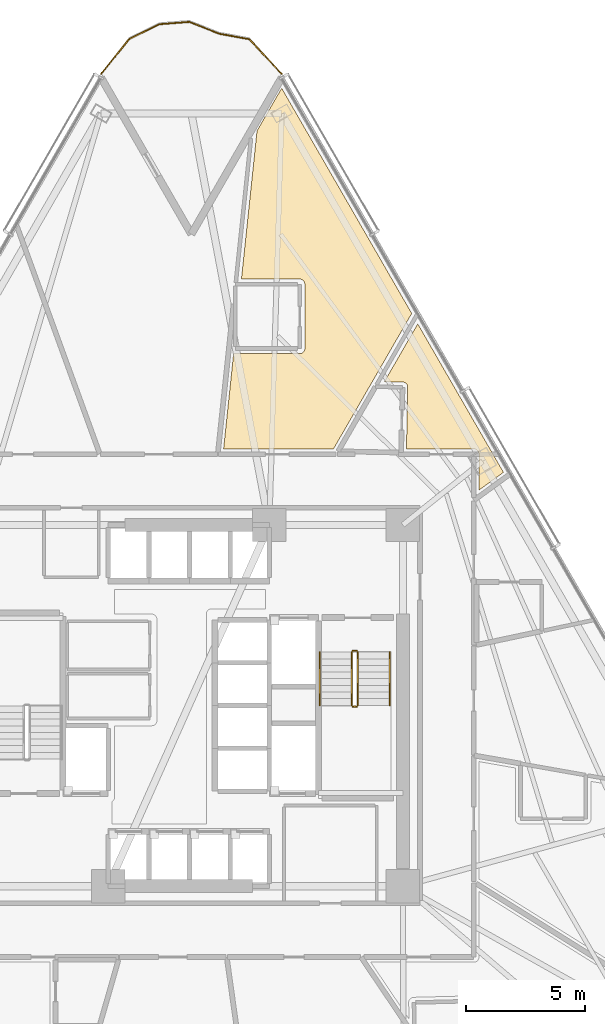
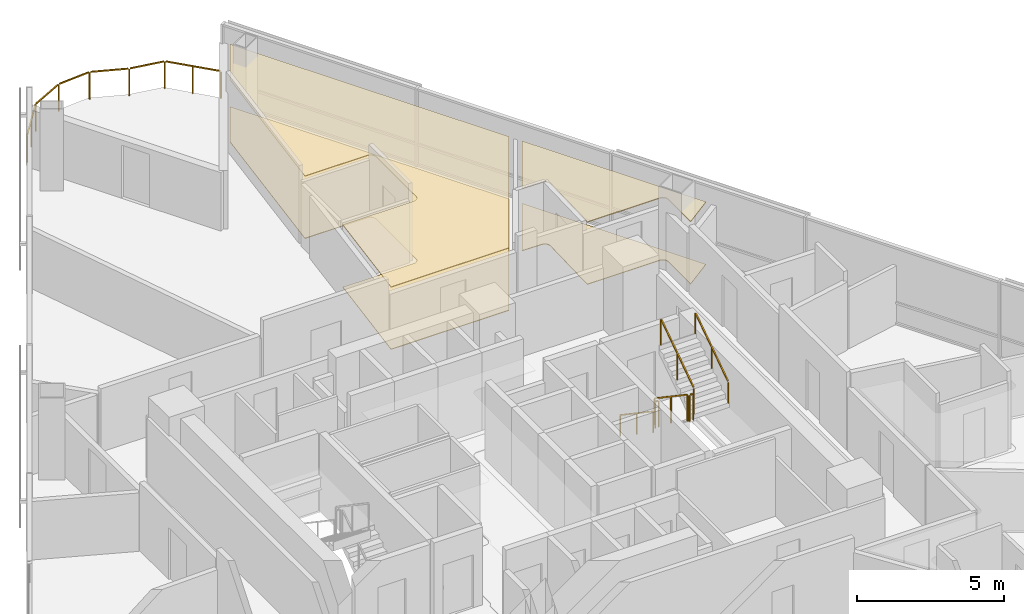
# One storey, part 17 of 17: 7 railings, 4 coverings.
"""IFC4 building model written with IfcOpenShell, lengths in metres."""

from ifc_helpers import new_model, si_unit, direction, frame, origin, origin_2d, place, context, subcontext, project, spatial, polyline, rectangle, outline, extrude, material, layer, layer_set, type_object, element, save


model = new_model("IFC4")

# Units and contexts
model_context = context("Model", 3, precision=1e-05, world=origin(), true_north=direction((0.0, 1.0)))
body_context = subcontext(model_context, "Body", "Model", "MODEL_VIEW")
ifc_project = project(units=[si_unit("LENGTHUNIT", "METRE"), si_unit("AREAUNIT", "SQUARE_METRE"), si_unit("VOLUMEUNIT", "CUBIC_METRE"), si_unit("PLANEANGLEUNIT", "RADIAN"), si_unit("MASSUNIT", "GRAM", prefix="KILO")], contexts=[model_context])

# Site, building, storey
site_placement = place(None, origin())
site = spatial("IfcSite", under=ifc_project, at=site_placement, CompositionType="ELEMENT")
building_placement = place(site_placement, origin())
building = spatial("IfcBuilding", under=site, at=building_placement, Name="Tharavind Bronze Gate", CompositionType="ELEMENT")
storey_placement = place(building_placement, frame((0.0, 0.0, 35.25)))
storey = spatial("IfcBuildingStorey", under=building, at=storey_placement, Name="L07", CompositionType="ELEMENT", Elevation=35.25)

# Coverings
ifc_material_1 = material(Name="Engineered Oak & Carpet Tile", Category="wood")
ifc_layer_1 = layer(ifc_material_1, 0.02490234375)
ifc_layer_set_1 = layer_set([ifc_layer_1], Name="Engineered Oak & Carpet Tile")
covering_type_1 = type_object("IfcCoveringType", Name="ENGINEERED TIMBER FLOORING", PredefinedType="FLOORING", material=ifc_layer_set_1)
covering_1_placement = place(storey_placement, origin())
element("IfcCovering", 1, at=covering_1_placement, inside=storey, type_object=covering_type_1, Name="L07-RM-02 floor finish", PredefinedType="FLOORING", context=body_context, shape_type="SweptSolid", body=[
    extrude(outline(polyline([(11.87939453125, 10.800048828125), (11.89013671875, 10.7998046875), (11.890869140625, 10.7998046875), (11.912353515625, 10.797607421875), (11.933349609375, 10.79345703125), (11.9541015625, 10.787109375), (11.97412109375, 10.77880859375), (11.9931640625, 10.768798828125), (12.010986328125, 10.756591796875), (12.027587890625, 10.742919921875), (12.04296875, 10.727783203125), (12.056640625, 10.7109375), (12.068603515625, 10.693115234375), (12.078857421875, 10.674072265625), (12.087158203125, 10.654052734375), (12.093505859375, 10.63330078125), (12.09765625, 10.6123046875), (12.099609375, 10.5908203125), (12.099609375, 10.590087890625), (12.10009765625, 10.579345703125), (12.10009765625, 9.06298828125), (13.1328125, 9.8134765625), (9.5263671875, 16.06005859375), (8.123046875, 13.629638671875), (8.8896484375, 13.613525390625), (8.9111328125, 13.612060546875), (8.932373046875, 13.6083984375), (8.953125, 13.602783203125), (8.973388671875, 13.59521484375), (8.99267578125, 13.58544921875), (9.010986328125, 13.573974609375), (9.028076171875, 13.560791015625), (9.043701171875, 13.5458984375), (9.057861328125, 13.529541015625), (9.0703125, 13.511962890625), (9.0810546875, 13.4931640625), (9.08984375, 13.473388671875), (9.0966796875, 13.452880859375), (9.1015625, 13.431884765625), (9.104248046875, 13.41064453125), (9.10498046875, 13.388916015625), (9.05029296875, 10.800048828125), (11.87939453125, 10.800048828125)])), origin(), (0.0, 0.0, 1.0), 0.02490234375),
])
covering_2_placement = place(storey_placement, origin())
element("IfcCovering", 2, at=covering_2_placement, inside=storey, type_object=covering_type_1, Name="L07-RM-03 floor finish", PredefinedType="FLOORING", context=body_context, shape_type="SweptSolid", body=[
    extrude(outline(polyline([(5.981201171875, 10.800048828125), (9.272216796875, 16.5), (3.800048828125, 25.978271484375), (2.7626953125, 24.181640625), (2.107421875, 17.945556640625), (4.5546875, 17.945556640625), (4.576416015625, 17.9443359375), (4.59765625, 17.94140625), (4.61865234375, 17.93603515625), (4.638916015625, 17.9287109375), (4.658447265625, 17.91943359375), (4.677001953125, 17.908447265625), (4.6943359375, 17.8955078125), (4.71044921875, 17.881103515625), (4.724853515625, 17.864990234375), (4.73779296875, 17.84765625), (4.748779296875, 17.8291015625), (4.758056640625, 17.809814453125), (4.765380859375, 17.789306640625), (4.7705078125, 17.768310546875), (4.773681640625, 17.7470703125), (4.77490234375, 17.7255859375), (4.77490234375, 15.025390625), (4.773681640625, 15.00390625), (4.7705078125, 14.982666015625), (4.765380859375, 14.961669921875), (4.758056640625, 14.94140625), (4.748779296875, 14.921875), (4.73779296875, 14.9033203125), (4.724853515625, 14.885986328125), (4.71044921875, 14.869873046875), (4.6943359375, 14.85546875), (4.677001953125, 14.842529296875), (4.658447265625, 14.83154296875), (4.638916015625, 14.822265625), (4.61865234375, 14.81494140625), (4.59765625, 14.809814453125), (4.576416015625, 14.806396484375), (4.5546875, 14.805419921875), (1.854736328125, 14.805419921875), (1.833251953125, 14.806396484375), (1.81201171875, 14.809814453125), (1.791015625, 14.81494140625), (1.77880859375, 14.8193359375), (1.356201171875, 10.800048828125), (5.981201171875, 10.800048828125)])), origin(), (0.0, 0.0, 1.0), 0.02490234375),
])
ifc_material_2 = material(Name="Acoustic Gypsum Board", Category="gypsum")
ifc_layer_2 = layer(ifc_material_2, 0.030029296875)
ifc_layer_set_2 = layer_set([ifc_layer_2], Name="Acoustic Gypsum Board")
covering_type_2 = type_object("IfcCoveringType", Name="GYPSUM SUSPENDED CEILING", PredefinedType="CEILING", material=ifc_layer_set_2)
covering_3_placement = place(storey_placement, frame((0.0, 0.0, 2.574951171875)))
element("IfcCovering", 3, at=covering_3_placement, inside=storey, type_object=covering_type_2, Name="L07-RM-02 suspended ceiling", PredefinedType="CEILING", context=body_context, shape_type="SweptSolid", body=[
    extrude(outline(polyline([(11.87939453125, 10.800048828125), (11.89013671875, 10.7998046875), (11.890869140625, 10.7998046875), (11.912353515625, 10.797607421875), (11.933349609375, 10.79345703125), (11.9541015625, 10.787109375), (11.97412109375, 10.77880859375), (11.9931640625, 10.768798828125), (12.010986328125, 10.756591796875), (12.027587890625, 10.742919921875), (12.04296875, 10.727783203125), (12.056640625, 10.7109375), (12.068603515625, 10.693115234375), (12.078857421875, 10.674072265625), (12.087158203125, 10.654052734375), (12.093505859375, 10.63330078125), (12.09765625, 10.6123046875), (12.099609375, 10.5908203125), (12.099609375, 10.590087890625), (12.10009765625, 10.579345703125), (12.10009765625, 9.06298828125), (13.1328125, 9.8134765625), (9.5263671875, 16.06005859375), (8.123046875, 13.629638671875), (8.8896484375, 13.613525390625), (8.9111328125, 13.612060546875), (8.932373046875, 13.6083984375), (8.953125, 13.602783203125), (8.973388671875, 13.59521484375), (8.99267578125, 13.58544921875), (9.010986328125, 13.573974609375), (9.028076171875, 13.560791015625), (9.043701171875, 13.5458984375), (9.057861328125, 13.529541015625), (9.0703125, 13.511962890625), (9.0810546875, 13.4931640625), (9.08984375, 13.473388671875), (9.0966796875, 13.452880859375), (9.1015625, 13.431884765625), (9.104248046875, 13.41064453125), (9.10498046875, 13.388916015625), (9.05029296875, 10.800048828125), (11.87939453125, 10.800048828125)])), origin(), (0.0, 0.0, 1.0), 0.03515625),
])
covering_4_placement = place(storey_placement, frame((0.0, 0.0, 2.574951171875)))
element("IfcCovering", 4, at=covering_4_placement, inside=storey, type_object=covering_type_2, Name="L07-RM-03 suspended ceiling", PredefinedType="CEILING", context=body_context, shape_type="SweptSolid", body=[
    extrude(outline(polyline([(5.981201171875, 10.800048828125), (9.272216796875, 16.5), (3.800048828125, 25.978271484375), (2.7626953125, 24.181640625), (2.107421875, 17.945556640625), (4.5546875, 17.945556640625), (4.576416015625, 17.9443359375), (4.59765625, 17.94140625), (4.61865234375, 17.93603515625), (4.638916015625, 17.9287109375), (4.658447265625, 17.91943359375), (4.677001953125, 17.908447265625), (4.6943359375, 17.8955078125), (4.71044921875, 17.881103515625), (4.724853515625, 17.864990234375), (4.73779296875, 17.84765625), (4.748779296875, 17.8291015625), (4.758056640625, 17.809814453125), (4.765380859375, 17.789306640625), (4.7705078125, 17.768310546875), (4.773681640625, 17.7470703125), (4.77490234375, 17.7255859375), (4.77490234375, 15.025390625), (4.773681640625, 15.00390625), (4.7705078125, 14.982666015625), (4.765380859375, 14.961669921875), (4.758056640625, 14.94140625), (4.748779296875, 14.921875), (4.73779296875, 14.9033203125), (4.724853515625, 14.885986328125), (4.71044921875, 14.869873046875), (4.6943359375, 14.85546875), (4.677001953125, 14.842529296875), (4.658447265625, 14.83154296875), (4.638916015625, 14.822265625), (4.61865234375, 14.81494140625), (4.59765625, 14.809814453125), (4.576416015625, 14.806396484375), (4.5546875, 14.805419921875), (1.854736328125, 14.805419921875), (1.833251953125, 14.806396484375), (1.81201171875, 14.809814453125), (1.791015625, 14.81494140625), (1.77880859375, 14.8193359375), (1.356201171875, 10.800048828125), (5.981201171875, 10.800048828125)])), origin(), (0.0, 0.0, 1.0), 0.03515625),
])

# Railings
ifc_material_3 = material(Name="Brushed Bronze Alloy", Category="metal")
railing_type_1 = type_object("IfcRailingType", Name="STAIR BRONZE HANDRAIL 900", PredefinedType="HANDRAIL", material=ifc_material_3)
railing_1_placement = place(storey_placement, frame((5.39990234375, 2.25, 0.18896484375)))
element("IfcRailing", 5, at=railing_1_placement, inside=storey, type_object=railing_type_1, Name="L07 ST2 stair handrail 1", PredefinedType="HANDRAIL", context=body_context, shape_type="SweptSolid", body=[
    extrude(rectangle(XDim=0.048095703125, YDim=0.048095703125, at=origin_2d()), frame((0.0, -0.026611328125, 0.893798828125), z_axis=(0.0, -0.829021472004, 0.559216772778), x_axis=(1.0, 0.0, 0.0)), (0.0, 0.0, 1.0), 2.637939453125),
    extrude(rectangle(XDim=0.0400390625, YDim=0.0400390625, at=origin_2d()), origin(), (0.0, 0.0, 1.0), 0.847900390625),
    extrude(rectangle(XDim=0.0400390625, YDim=0.0400390625, at=origin_2d()), frame((0.0, -1.1201171875, 0.75537109375)), (0.0, 0.0, 1.0), 0.847900390625),
    extrude(rectangle(XDim=0.0400390625, YDim=0.0400390625, at=origin_2d()), frame((0.0, -2.239990234375, 1.510986328125)), (0.0, 0.0, 1.0), 0.847900390625),
])
railing_2_placement = place(storey_placement, frame((8.35009765625, 0.010009765625, 1.888916015625)))
element("IfcRailing", 6, at=railing_2_placement, inside=storey, type_object=railing_type_1, Name="L07 ST2 stair handrail 2", PredefinedType="HANDRAIL", context=body_context, shape_type="SweptSolid", body=[
    extrude(rectangle(XDim=0.048095703125, YDim=0.048095703125, at=origin_2d()), frame((0.0, 0.026611328125, 0.893798828125), z_axis=(0.0, 0.829021472004, 0.559216772778), x_axis=(-1.0, 0.0, 0.0)), (0.0, 0.0, 1.0), 2.637939453125),
    extrude(rectangle(XDim=0.0400390625, YDim=0.0400390625, at=origin_2d()), origin(), (0.0, 0.0, 1.0), 0.847900390625),
    extrude(rectangle(XDim=0.0400390625, YDim=0.0400390625, at=origin_2d()), frame((0.0, 1.1201171875, 0.75537109375)), (0.0, 0.0, 1.0), 0.847900390625),
    extrude(rectangle(XDim=0.0400390625, YDim=0.0400390625, at=origin_2d()), frame((0.0, 2.239990234375, 1.510986328125)), (0.0, 0.0, 1.0), 0.847900390625),
])
railing_type_2 = type_object("IfcRailingType", Name="STAIR WELL GUARD RAILING 1120", PredefinedType="GUARDRAIL", material=ifc_material_3)
railing_3_placement = place(storey_placement, frame((6.75, 2.25, 0.18896484375)))
element("IfcRailing", 7, at=railing_3_placement, inside=storey, type_object=railing_type_2, Name="L07 ST2 stair guard 1", PredefinedType="GUARDRAIL", context=body_context, shape_type="SweptSolid", body=[
    extrude(rectangle(XDim=0.048095703125, YDim=0.048095703125, at=origin_2d()), frame((0.0, -0.026611328125, 1.114013671875), z_axis=(0.0, -0.829021472004, 0.559216772778), x_axis=(1.0, 0.0, 0.0)), (0.0, 0.0, 1.0), 2.637939453125),
    extrude(rectangle(XDim=0.0400390625, YDim=0.0400390625, at=origin_2d()), origin(), (0.0, 0.0, 1.0), 1.068115234375),
    extrude(rectangle(XDim=0.0400390625, YDim=0.0400390625, at=origin_2d()), frame((0.0, -1.1201171875, 0.75537109375)), (0.0, 0.0, 1.0), 1.068115234375),
    extrude(rectangle(XDim=0.0400390625, YDim=0.0400390625, at=origin_2d()), frame((0.0, -2.239990234375, 1.510986328125)), (0.0, 0.0, 1.0), 1.068115234375),
])
railing_4_placement = place(storey_placement, frame((6.800048828125, -0.0400390625, 1.699951171875)))
element("IfcRailing", 8, at=railing_4_placement, inside=storey, type_object=railing_type_2, Name="L07 ST2 stair guard 2", PredefinedType="GUARDRAIL", context=body_context, shape_type="SweptSolid", body=[
    extrude(rectangle(XDim=0.048095703125, YDim=0.048095703125, at=origin_2d()), frame((0.031982421875, 0.0, 1.09619140625), z_axis=(1.0, 0.0, 0.0), x_axis=(0.0, 1.0, 0.0)), (0.0, 0.0, 1.0), 0.0859375),
    extrude(rectangle(XDim=0.0400390625, YDim=0.0400390625, at=origin_2d()), origin(), (0.0, 0.0, 1.0), 1.068115234375),
    extrude(rectangle(XDim=0.0400390625, YDim=0.0400390625, at=origin_2d()), frame((0.14990234375, 0.0, 0.0)), (0.0, 0.0, 1.0), 1.068115234375),
])
railing_5_placement = place(storey_placement, frame((7.0, 0.010009765625, 1.888916015625)))
element("IfcRailing", 9, at=railing_5_placement, inside=storey, type_object=railing_type_2, Name="L07 ST2 stair guard 3", PredefinedType="GUARDRAIL", context=body_context, shape_type="SweptSolid", body=[
    extrude(rectangle(XDim=0.048095703125, YDim=0.048095703125, at=origin_2d()), frame((0.0, 0.026611328125, 1.114013671875), z_axis=(0.0, 0.829021472004, 0.559216772778), x_axis=(-1.0, 0.0, 0.0)), (0.0, 0.0, 1.0), 2.637939453125),
    extrude(rectangle(XDim=0.0400390625, YDim=0.0400390625, at=origin_2d()), origin(), (0.0, 0.0, 1.0), 1.068115234375),
    extrude(rectangle(XDim=0.0400390625, YDim=0.0400390625, at=origin_2d()), frame((0.0, 1.1201171875, 0.75537109375)), (0.0, 0.0, 1.0), 1.068115234375),
    extrude(rectangle(XDim=0.0400390625, YDim=0.0400390625, at=origin_2d()), frame((0.0, 2.239990234375, 1.510986328125)), (0.0, 0.0, 1.0), 1.068115234375),
])
railing_6_placement = place(storey_placement, frame((6.800048828125, 2.300048828125, 0.0)))
element("IfcRailing", 10, at=railing_6_placement, inside=storey, type_object=railing_type_2, Name="L07 ST2 stair guard 4", PredefinedType="GUARDRAIL", context=body_context, shape_type="SweptSolid", body=[
    extrude(rectangle(XDim=0.048095703125, YDim=0.048095703125, at=origin_2d()), frame((0.031982421875, 0.0, 1.09619140625), z_axis=(1.0, 0.0, 0.0), x_axis=(0.0, 1.0, 0.0)), (0.0, 0.0, 1.0), 0.0859375),
    extrude(rectangle(XDim=0.0400390625, YDim=0.0400390625, at=origin_2d()), origin(), (0.0, 0.0, 1.0), 1.068115234375),
    extrude(rectangle(XDim=0.0400390625, YDim=0.0400390625, at=origin_2d()), frame((0.14990234375, 0.0, 0.0)), (0.0, 0.0, 1.0), 1.068115234375),
])
ifc_material_4 = material(Name="Bronze Cap & Laminated Glass", Category="glass")
railing_type_3 = type_object("IfcRailingType", Name="TERRACE GLASS GUARD RAILING 1150", PredefinedType="GUARDRAIL", material=ifc_material_4)
railing_7_placement = place(storey_placement, frame((-3.800048828125, 26.578125, 0.0)))
element("IfcRailing", 11, at=railing_7_placement, inside=storey, type_object=railing_type_3, Name="L07 tree balcony guard railing", PredefinedType="GUARDRAIL", context=body_context, shape_type="SweptSolid", body=[
    extrude(rectangle(XDim=0.048095703125, YDim=0.048095703125, at=origin_2d()), frame((0.02001953125, 0.02490234375, 1.1259765625), z_axis=(0.627706650624, 0.778449973192, 0.0), x_axis=(-0.778449973192, 0.627706650624, 0.0)), (0.0, 0.0, 1.0), 1.8115234375),
    extrude(rectangle(XDim=0.048095703125, YDim=0.048095703125, at=origin_2d()), frame((1.205810546875, 1.47412109375, 1.1259765625), z_axis=(0.89511626958, 0.445832775751, 0.0), x_axis=(-0.445832775751, 0.89511626958, 0.0)), (0.0, 0.0, 1.0), 1.35107421875),
    extrude(rectangle(XDim=0.048095703125, YDim=0.048095703125, at=origin_2d()), frame((2.475830078125, 2.09326171875, 1.1259765625), z_axis=(0.996951873955, 0.078018978571, 0.0), x_axis=(-0.078018978571, 0.996951873955, 0.0)), (0.0, 0.0, 1.0), 1.20654296875),
    extrude(rectangle(XDim=0.048095703125, YDim=0.048095703125, at=origin_2d()), frame((3.740234375, 2.17822265625, 1.1259765625), z_axis=(0.930539907569, -0.366190497448, 0.0), x_axis=(0.366190497448, 0.930539907569, 0.0)), (0.0, 0.0, 1.0), 1.29736328125),
    extrude(rectangle(XDim=0.048095703125, YDim=0.048095703125, at=origin_2d()), frame((5.0087890625, 1.685546875, 1.1259765625), z_axis=(0.983711769564, -0.179753037307, 0.0), x_axis=(0.179753037307, 0.983711769564, 0.0)), (0.0, 0.0, 1.0), 1.2236328125),
    extrude(rectangle(XDim=0.048095703125, YDim=0.048095703125, at=origin_2d()), frame((6.265625, 1.4365234375, 1.1259765625), z_axis=(0.680592067339, -0.732662567541, 0.0), x_axis=(0.732662567541, 0.680592067339, 0.0)), (0.0, 0.0, 1.0), 1.9287109375),
    extrude(rectangle(XDim=0.0400390625, YDim=0.0400390625, at=origin_2d()), origin(), (0.0, 0.0, 1.0), 1.097900390625),
    extrude(rectangle(XDim=0.0400390625, YDim=0.0400390625, at=origin_2d()), frame((0.588623046875, 0.72998046875, 0.0)), (0.0, 0.0, 1.0), 1.097900390625),
    extrude(rectangle(XDim=0.0400390625, YDim=0.0400390625, at=origin_2d()), frame((1.17724609375, 1.4599609375, 0.0)), (0.0, 0.0, 1.0), 1.097900390625),
    extrude(rectangle(XDim=0.0400390625, YDim=0.0400390625, at=origin_2d()), frame((2.44384765625, 2.0908203125, 0.0)), (0.0, 0.0, 1.0), 1.097900390625),
    extrude(rectangle(XDim=0.0400390625, YDim=0.0400390625, at=origin_2d()), frame((3.71044921875, 2.18994140625, 0.0)), (0.0, 0.0, 1.0), 1.097900390625),
    extrude(rectangle(XDim=0.0400390625, YDim=0.0400390625, at=origin_2d()), frame((4.977294921875, 1.69140625, 0.0)), (0.0, 0.0, 1.0), 1.097900390625),
    extrude(rectangle(XDim=0.0400390625, YDim=0.0400390625, at=origin_2d()), frame((6.243896484375, 1.4599609375, 0.0)), (0.0, 0.0, 1.0), 1.097900390625),
    extrude(rectangle(XDim=0.0400390625, YDim=0.0400390625, at=origin_2d()), frame((6.921875, 0.72998046875, 0.0)), (0.0, 0.0, 1.0), 1.097900390625),
    extrude(rectangle(XDim=0.0400390625, YDim=0.0400390625, at=origin_2d()), frame((7.60009765625, 0.0, 0.0)), (0.0, 0.0, 1.0), 1.097900390625),
])

save(model, "model.ifc")
